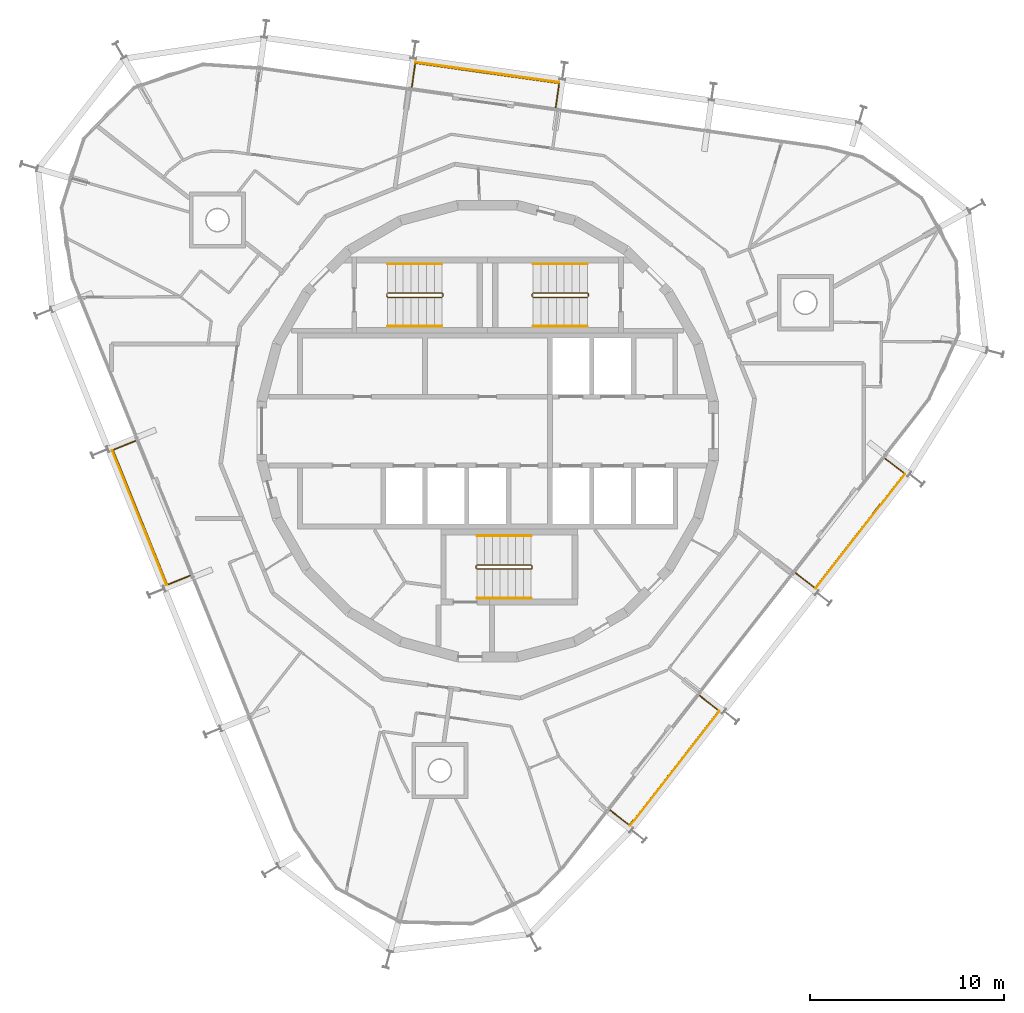
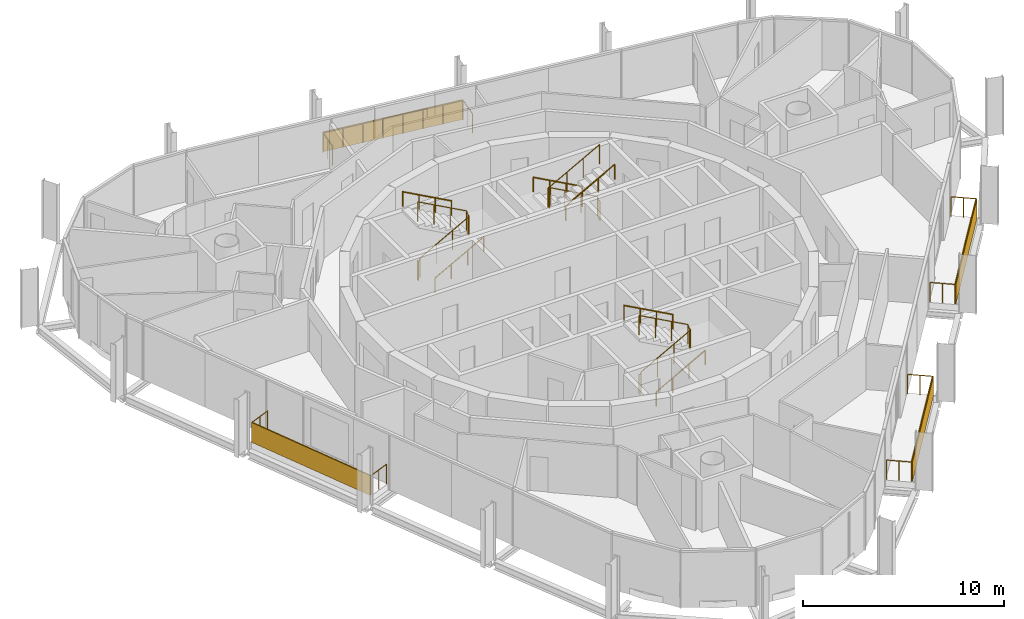
# One storey, part 15 of 15: 13 railings, 4 shading devices.
"""IFC4 building model written with IfcOpenShell, lengths in metres."""

import ifcopenshell
import ifcopenshell.guid

model = None  # the IFC model being written
_history = None  # IfcOwnerHistory: only IFC2X3 demands one
_inside = {}  # id of a spatial element -> (the spatial element, [elements in it])
_under = {}  # id of a project, library or spatial element -> (it, [spatial elements below it])
_declared = {}  # id of a project -> (the project, [libraries it declares])
_typed = {}  # id of a type object -> (the type object, [elements of that type])
_made_of = {}  # id of a material, layer set ... -> (it, [elements and type objects made of it])


def new_model(schema):
    """Start an empty IFC model of exactly this schema.

    Asked for "IFC4X3", IfcOpenShell would pick the latest addendum, in which some entities
    have other attributes; the version numbers below select the first issue.
    IFC2X3 requires an IfcOwnerHistory on every rooted entity: one is made here for all.
    """
    global model, _history
    if schema == "IFC4X3":
        model = ifcopenshell.file(schema_version=(4, 3, 0, 0))
    else:
        model = ifcopenshell.file(schema=schema)
    _inside.clear()
    _under.clear()
    _declared.clear()
    _typed.clear()
    _made_of.clear()
    _history = None
    if model.schema == "IFC2X3":
        org = make("IfcOrganization", Name="unknown")
        user = make(
            "IfcPersonAndOrganization",
            ThePerson=make("IfcPerson", FamilyName="unknown"),
            TheOrganization=org,
        )
        app = make(
            "IfcApplication",
            ApplicationDeveloper=org,
            Version="unknown",
            ApplicationFullName="unknown",
            ApplicationIdentifier="unknown",
        )
        _history = make(
            "IfcOwnerHistory",
            OwningUser=user,
            OwningApplication=app,
            ChangeAction="ADDED",
            CreationDate=0,
        )
    return model


def make(cls, **values):
    """One entity of the class cls with the attributes given. An attribute that is None is left unset."""
    return model.create_entity(
        cls, **{name: value for name, value in values.items() if value is not None}
    )


def rooted(cls, **values):
    """An entity with a GlobalId (a new one), such as an element, a storey or a relation."""
    return make(cls, GlobalId=ifcopenshell.guid.new(), OwnerHistory=_history, **values)


def si_unit(unit_type, name, prefix=None):
    """IfcSIUnit, for example si_unit("LENGTHUNIT", "METRE", prefix="MILLI")."""
    return make("IfcSIUnit", UnitType=unit_type, Prefix=prefix, Name=name)


def assignment(units):
    """IfcUnitAssignment: the units of a project."""
    return None if units is None else make("IfcUnitAssignment", Units=units)


def point(xyz):
    """IfcCartesianPoint."""
    return None if xyz is None else make("IfcCartesianPoint", Coordinates=xyz)


def direction(xyz):
    """IfcDirection."""
    return None if xyz is None else make("IfcDirection", DirectionRatios=xyz)


def frame(location, z_axis=None, x_axis=None):
    """IfcAxis2Placement3D, a coordinate frame: its origin and axes. An axis left out is left unset."""
    return make(
        "IfcAxis2Placement3D",
        Location=point(location),
        Axis=direction(z_axis),
        RefDirection=direction(x_axis),
    )


def frame_2d(location, x_axis=None):
    """IfcAxis2Placement2D, a coordinate frame in the plane: its origin and x axis."""
    return make(
        "IfcAxis2Placement2D", Location=point(location), RefDirection=direction(x_axis)
    )


def origin():
    """The frame at (0, 0, 0) with its axes left unset."""
    return frame((0.0, 0.0, 0.0))


def origin_2d():
    """The frame at (0, 0) in the plane with its x axis left unset."""
    return frame_2d((0.0, 0.0))


def place(relative_to, where):
    """IfcLocalPlacement: puts the frame where relative to a parent placement (None: the world)."""
    return make(
        "IfcLocalPlacement", PlacementRelTo=relative_to, RelativePlacement=where
    )


def context(
    kind, dimensions, precision=None, world=None, true_north=None, identifier=None
):
    """IfcGeometricRepresentationContext, for example the 3D "Model" context."""
    return make(
        "IfcGeometricRepresentationContext",
        ContextIdentifier=identifier,
        ContextType=kind,
        CoordinateSpaceDimension=dimensions,
        Precision=precision,
        WorldCoordinateSystem=world,
        TrueNorth=true_north,
    )


def subcontext(parent, identifier, kind, view, scale=None):
    """IfcGeometricRepresentationSubContext, for example "Body" below "Model"."""
    return make(
        "IfcGeometricRepresentationSubContext",
        ContextIdentifier=identifier,
        ContextType=kind,
        ParentContext=parent,
        TargetScale=scale,
        TargetView=view,
    )


def project(units=None, contexts=None):
    """IfcProject with its units and contexts."""
    return rooted(
        "IfcProject",
        Name="project",
        RepresentationContexts=contexts,
        UnitsInContext=assignment(units),
    )


def spatial(cls, under=None, at=None, **own):
    """A site, building, storey or space (cls), placed at a placement, below another one or the project."""
    s = rooted(cls, ObjectPlacement=at, **own)
    if under is not None:
        _under.setdefault(under.id(), (under, []))[1].append(s)
    return s


def profile(cls, at=None, kind="AREA", **sizes):
    """A parametric profile (cls). Its sizes go by their IFC names, for example OverallWidth=200.0."""
    return make(cls, ProfileType=kind, Position=at, **sizes)


def rectangle(**sizes):
    """IfcRectangleProfileDef."""
    return profile("IfcRectangleProfileDef", **sizes)


def circle(**sizes):
    """IfcCircleProfileDef."""
    return profile("IfcCircleProfileDef", **sizes)


def extrude(swept, where, along, depth):
    """IfcExtrudedAreaSolid: the profile swept, set in the frame where, extruded along a direction by depth."""
    return make(
        "IfcExtrudedAreaSolid",
        SweptArea=swept,
        Position=where,
        ExtrudedDirection=direction(along),
        Depth=depth,
    )


def shape(context_of_items, identifier, shape_type, items):
    """IfcShapeRepresentation: the items that make up one representation, for example the "Body"."""
    return make(
        "IfcShapeRepresentation",
        ContextOfItems=context_of_items,
        RepresentationIdentifier=identifier,
        RepresentationType=shape_type,
        Items=items,
    )


def material(Name=None, Category=None):
    """IfcMaterial."""
    return make("IfcMaterial", Name=Name, Category=Category)


def layer(
    of_material, thickness, ventilated=None, Name=None, Category=None, Priority=None
):
    """IfcMaterialLayer: one layer of a wall or slab, of a material (None: an air gap)."""
    return make(
        "IfcMaterialLayer",
        Material=of_material,
        LayerThickness=thickness,
        IsVentilated=ventilated,
        Name=Name,
        Category=Category,
        Priority=Priority,
    )


def layer_set(layers, Name=None):
    """IfcMaterialLayerSet."""
    return make("IfcMaterialLayerSet", MaterialLayers=layers, LayerSetName=Name)


def made_of(thing, what):
    """Note that an element or type object is made of a material, layer set ...; save() writes the relation."""
    if what is not None:
        _made_of.setdefault(what.id(), (what, []))[1].append(thing)
    return thing


def type_object(cls, material=None, **own):
    """A type object (cls), such as IfcWallType, which elements share."""
    return made_of(rooted(cls, **own), material)


def element(
    cls,
    number,
    at=None,
    inside=None,
    cuts=None,
    type_object=None,
    material=None,
    context=None,
    identifier="Body",
    shape_type=None,
    held_by="IfcProductDefinitionShape",
    body=None,
    shapes=None,
    **own,
):
    """One element of the class cls, such as IfcWall. Its Tag is "e" and its number.

    at: its placement. inside: the storey or other place that contains it. cuts: it is an
    opening in that element (IfcRelVoidsElement). A single representation is given by context,
    identifier, shape_type and body (its items); several are given by shapes. held_by: the class
    of the entity that holds the representations. save() writes the other relations.
    """
    e = rooted(cls, Tag="e%d" % number, ObjectPlacement=at, **own)
    if body is not None:
        shapes = [shape(context, identifier, shape_type, body)]
    if shapes is not None:
        e.Representation = make(held_by, Representations=shapes)
    if inside is not None:
        _inside.setdefault(inside.id(), (inside, []))[1].append(e)
    if cuts is not None:
        rooted(
            "IfcRelVoidsElement", RelatingBuildingElement=cuts, RelatedOpeningElement=e
        )
    if type_object is not None:
        _typed.setdefault(type_object.id(), (type_object, []))[1].append(e)
    return made_of(e, material)


def aggregate(whole, parts):
    """IfcRelAggregates: a whole, such as a stair, and the parts it consists of."""
    return rooted("IfcRelAggregates", RelatingObject=whole, RelatedObjects=parts)


def save(model, path):
    """Write the relations noted so far, then the file.

    IfcRelAggregates (storeys below a building ...), IfcRelContainedInSpatialStructure (elements
    in a storey), IfcRelDefinesByType, IfcRelAssociatesMaterial and IfcRelDeclares: one each for
    every whole, place, type object, material and project.
    """
    for whole, parts in _under.values():
        aggregate(whole, parts)
    for where, things in _inside.values():
        rooted(
            "IfcRelContainedInSpatialStructure",
            RelatedElements=things,
            RelatingStructure=where,
        )
    for kind, things in _typed.values():
        rooted("IfcRelDefinesByType", RelatedObjects=things, RelatingType=kind)
    for what, things in _made_of.values():
        rooted("IfcRelAssociatesMaterial", RelatedObjects=things, RelatingMaterial=what)
    for by, libraries in _declared.values():
        rooted("IfcRelDeclares", RelatingContext=by, RelatedDefinitions=libraries)
    model.write(path)


model = new_model("IFC4")

# Units and contexts
model_context = context("Model", 3, precision=1e-05, world=origin(), true_north=direction((0.0, 1.0)))
body_context = subcontext(model_context, "Body", "Model", "MODEL_VIEW")
ifc_project = project(units=[si_unit("LENGTHUNIT", "METRE"), si_unit("AREAUNIT", "SQUARE_METRE"), si_unit("VOLUMEUNIT", "CUBIC_METRE"), si_unit("PLANEANGLEUNIT", "RADIAN"), si_unit("MASSUNIT", "GRAM", prefix="KILO")], contexts=[model_context])

# Site, building, storey
site_placement = place(None, origin())
site = spatial("IfcSite", under=ifc_project, at=site_placement, CompositionType="ELEMENT")
building_placement = place(site_placement, origin())
building = spatial("IfcBuilding", under=site, at=building_placement, Name="Spindle Arch Residences", CompositionType="ELEMENT")
storey_placement = place(building_placement, frame((0.0, 0.0, 340.0)))
storey = spatial("IfcBuildingStorey", under=building, at=storey_placement, Name="L87", CompositionType="ELEMENT", Elevation=340.0)

# Railings
ifc_material_1 = material(Name="Bronze anodised aluminium guard with glass infill", Category="aluminium")
railing_type_1 = type_object("IfcRailingType", Name="Balcony guard 1200", PredefinedType="GUARDRAIL", material=ifc_material_1)
railing_1_placement = place(storey_placement, frame((15.89208984375, -7.317626953125, 0.0)))
element("IfcRailing", 1, at=railing_1_placement, inside=storey, type_object=railing_type_1, Name="Guard L87 bay 1", PredefinedType="GUARDRAIL", context=body_context, shape_type="SweptSolid", body=[
    extrude(circle(Radius=0.02392578125, at=origin_2d()), frame((0.0, 0.0, 1.17578125), z_axis=(0.788056943247, -0.61560235071, 0.0), x_axis=(0.61560235071, 0.788056943247, 0.0)), (0.0, 0.0, 1.0), 1.25),
    extrude(circle(Radius=0.02392578125, at=origin_2d()), frame((0.985107421875, -0.76953125, 1.17578125), z_axis=(0.615668692597, 0.788005114803, 0.0), x_axis=(-0.788005114803, 0.615668692597, 0.0)), (0.0, 0.0, 1.0), 7.49560546875),
    extrude(circle(Radius=0.02392578125, at=origin_2d()), frame((5.599853515625, 5.136962890625, 1.17578125), z_axis=(-0.788056943247, 0.61560235071, 0.0), x_axis=(-0.61560235071, -0.788056943247, 0.0)), (0.0, 0.0, 1.0), 1.25),
    extrude(circle(Radius=0.02099609375, at=origin_2d()), origin(), (0.0, 0.0, 1.0), 1.15185546875),
    extrude(circle(Radius=0.02099609375, at=origin_2d()), frame((0.49267578125, -0.384765625, 0.0)), (0.0, 0.0, 1.0), 1.15185546875),
    extrude(circle(Radius=0.02099609375, at=origin_2d()), frame((0.985107421875, -0.76953125, 0.0)), (0.0, 0.0, 1.0), 1.15185546875),
    extrude(circle(Radius=0.02099609375, at=origin_2d()), frame((1.644287109375, 0.07421875, 0.0)), (0.0, 0.0, 1.0), 1.15185546875),
    extrude(circle(Radius=0.02099609375, at=origin_2d()), frame((2.3037109375, 0.91796875, 0.0)), (0.0, 0.0, 1.0), 1.15185546875),
    extrude(circle(Radius=0.02099609375, at=origin_2d()), frame((2.962890625, 1.76171875, 0.0)), (0.0, 0.0, 1.0), 1.15185546875),
    extrude(circle(Radius=0.02099609375, at=origin_2d()), frame((3.6220703125, 2.605712890625, 0.0)), (0.0, 0.0, 1.0), 1.15185546875),
    extrude(circle(Radius=0.02099609375, at=origin_2d()), frame((4.28125, 3.449462890625, 0.0)), (0.0, 0.0, 1.0), 1.15185546875),
    extrude(circle(Radius=0.02099609375, at=origin_2d()), frame((4.940673828125, 4.293212890625, 0.0)), (0.0, 0.0, 1.0), 1.15185546875),
    extrude(circle(Radius=0.02099609375, at=origin_2d()), frame((5.599853515625, 5.136962890625, 0.0)), (0.0, 0.0, 1.0), 1.15185546875),
    extrude(circle(Radius=0.02099609375, at=origin_2d()), frame((5.107421875, 5.521728515625, 0.0)), (0.0, 0.0, 1.0), 1.15185546875),
    extrude(circle(Radius=0.02099609375, at=origin_2d()), frame((4.61474609375, 5.906494140625, 0.0)), (0.0, 0.0, 1.0), 1.15185546875),
])
railing_2_placement = place(storey_placement, frame((3.517822265625, 16.701416015625, 0.0)))
element("IfcRailing", 2, at=railing_2_placement, inside=storey, type_object=railing_type_1, Name="Guard L87 bay 7", PredefinedType="GUARDRAIL", context=body_context, shape_type="SweptSolid", body=[
    extrude(circle(Radius=0.02392578125, at=origin_2d()), frame((0.0, 0.0, 1.17578125), z_axis=(0.139260816682, 0.990255737139, 0.0), x_axis=(-0.990255737139, 0.139260816682, 0.0)), (0.0, 0.0, 1.0), 1.25),
    extrude(circle(Radius=0.02392578125, at=origin_2d()), frame((0.174072265625, 1.23779296875, 1.17578125), z_axis=(-0.990267453735, 0.139177476887, 0.0), x_axis=(-0.139177476887, -0.990267453735, 0.0)), (0.0, 0.0, 1.0), 7.49560546875),
    extrude(circle(Radius=0.02392578125, at=origin_2d()), frame((-7.24853515625, 2.281005859375, 1.17578125), z_axis=(-0.139260816682, -0.990255737139, 0.0), x_axis=(0.990255737139, -0.139260816682, 0.0)), (0.0, 0.0, 1.0), 1.25),
    extrude(circle(Radius=0.02099609375, at=origin_2d()), origin(), (0.0, 0.0, 1.0), 1.15185546875),
    extrude(circle(Radius=0.02099609375, at=origin_2d()), frame((0.0869140625, 0.618896484375, 0.0)), (0.0, 0.0, 1.0), 1.15185546875),
    extrude(circle(Radius=0.02099609375, at=origin_2d()), frame((0.174072265625, 1.23779296875, 0.0)), (0.0, 0.0, 1.0), 1.15185546875),
    extrude(circle(Radius=0.02099609375, at=origin_2d()), frame((-0.88623046875, 1.38671875, 0.0)), (0.0, 0.0, 1.0), 1.15185546875),
    extrude(circle(Radius=0.02099609375, at=origin_2d()), frame((-1.94677734375, 1.535888671875, 0.0)), (0.0, 0.0, 1.0), 1.15185546875),
    extrude(circle(Radius=0.02099609375, at=origin_2d()), frame((-3.007080078125, 1.684814453125, 0.0)), (0.0, 0.0, 1.0), 1.15185546875),
    extrude(circle(Radius=0.02099609375, at=origin_2d()), frame((-4.0673828125, 1.833984375, 0.0)), (0.0, 0.0, 1.0), 1.15185546875),
    extrude(circle(Radius=0.02099609375, at=origin_2d()), frame((-5.127685546875, 1.98291015625, 0.0)), (0.0, 0.0, 1.0), 1.15185546875),
    extrude(circle(Radius=0.02099609375, at=origin_2d()), frame((-6.188232421875, 2.132080078125, 0.0)), (0.0, 0.0, 1.0), 1.15185546875),
    extrude(circle(Radius=0.02099609375, at=origin_2d()), frame((-7.24853515625, 2.281005859375, 0.0)), (0.0, 0.0, 1.0), 1.15185546875),
    extrude(circle(Radius=0.02099609375, at=origin_2d()), frame((-7.33544921875, 1.662109375, 0.0)), (0.0, 0.0, 1.0), 1.15185546875),
    extrude(circle(Radius=0.02099609375, at=origin_2d()), frame((-7.422607421875, 1.043212890625, 0.0)), (0.0, 0.0, 1.0), 1.15185546875),
])
railing_3_placement = place(storey_placement, frame((-18.162109375, -0.50390625, 0.0)))
element("IfcRailing", 3, at=railing_3_placement, inside=storey, type_object=railing_type_1, Name="Guard L87 bay 13", PredefinedType="GUARDRAIL", context=body_context, shape_type="SweptSolid", body=[
    extrude(circle(Radius=0.02392578125, at=origin_2d()), frame((0.0, 0.0, 1.17578125), z_axis=(-0.927177918056, -0.374621286461, 0.0), x_axis=(0.374621286461, -0.927177918056, 0.0)), (0.0, 0.0, 1.0), 1.25),
    extrude(circle(Radius=0.02392578125, at=origin_2d()), frame((-1.158935546875, -0.46826171875, 1.17578125), z_axis=(0.374594985402, -0.927188544424, 0.0), x_axis=(0.927188544424, 0.374594985402, 0.0)), (0.0, 0.0, 1.0), 7.49560546875),
    extrude(circle(Radius=0.02392578125, at=origin_2d()), frame((1.64892578125, -7.418212890625, 1.17578125), z_axis=(0.927177918056, 0.374621286461, 0.0), x_axis=(-0.374621286461, 0.927177918056, 0.0)), (0.0, 0.0, 1.0), 1.25),
    extrude(circle(Radius=0.02099609375, at=origin_2d()), origin(), (0.0, 0.0, 1.0), 1.15185546875),
    extrude(circle(Radius=0.02099609375, at=origin_2d()), frame((-0.57958984375, -0.234130859375, 0.0)), (0.0, 0.0, 1.0), 1.15185546875),
    extrude(circle(Radius=0.02099609375, at=origin_2d()), frame((-1.158935546875, -0.46826171875, 0.0)), (0.0, 0.0, 1.0), 1.15185546875),
    extrude(circle(Radius=0.02099609375, at=origin_2d()), frame((-0.7578125, -1.461181640625, 0.0)), (0.0, 0.0, 1.0), 1.15185546875),
    extrude(circle(Radius=0.02099609375, at=origin_2d()), frame((-0.356689453125, -2.453857421875, 0.0)), (0.0, 0.0, 1.0), 1.15185546875),
    extrude(circle(Radius=0.02099609375, at=origin_2d()), frame((0.04443359375, -3.44677734375, 0.0)), (0.0, 0.0, 1.0), 1.15185546875),
    extrude(circle(Radius=0.02099609375, at=origin_2d()), frame((0.445556640625, -4.439697265625, 0.0)), (0.0, 0.0, 1.0), 1.15185546875),
    extrude(circle(Radius=0.02099609375, at=origin_2d()), frame((0.8466796875, -5.4326171875, 0.0)), (0.0, 0.0, 1.0), 1.15185546875),
    extrude(circle(Radius=0.02099609375, at=origin_2d()), frame((1.247802734375, -6.42529296875, 0.0)), (0.0, 0.0, 1.0), 1.15185546875),
    extrude(circle(Radius=0.02099609375, at=origin_2d()), frame((1.64892578125, -7.418212890625, 0.0)), (0.0, 0.0, 1.0), 1.15185546875),
    extrude(circle(Radius=0.02099609375, at=origin_2d()), frame((2.228515625, -7.18408203125, 0.0)), (0.0, 0.0, 1.0), 1.15185546875),
    extrude(circle(Radius=0.02099609375, at=origin_2d()), frame((2.807861328125, -6.949951171875, 0.0)), (0.0, 0.0, 1.0), 1.15185546875),
])
railing_4_placement = place(storey_placement, frame((6.330322265625, -19.556396484375, 0.0)))
element("IfcRailing", 4, at=railing_4_placement, inside=storey, type_object=railing_type_1, Name="Guard L87 bay 19", PredefinedType="GUARDRAIL", context=body_context, shape_type="SweptSolid", body=[
    extrude(circle(Radius=0.02392578125, at=origin_2d()), frame((0.0, 0.0, 1.17578125), z_axis=(0.787982912033, -0.615697109254, 0.0), x_axis=(0.615697109254, 0.787982912033, 0.0)), (0.0, 0.0, 1.0), 1.249755859375),
    extrude(circle(Radius=0.02392578125, at=origin_2d()), frame((0.98486328125, -0.76953125, 1.17578125), z_axis=(0.615668692597, 0.788005114803, 0.0), x_axis=(-0.788005114803, 0.615668692597, 0.0)), (0.0, 0.0, 1.0), 7.49560546875),
    extrude(circle(Radius=0.02392578125, at=origin_2d()), frame((5.599609375, 5.136962890625, 1.17578125), z_axis=(-0.787982912033, 0.615697109254, 0.0), x_axis=(-0.615697109254, -0.787982912033, 0.0)), (0.0, 0.0, 1.0), 1.249755859375),
    extrude(circle(Radius=0.02099609375, at=origin_2d()), origin(), (0.0, 0.0, 1.0), 1.15185546875),
    extrude(circle(Radius=0.02099609375, at=origin_2d()), frame((0.492431640625, -0.384765625, 0.0)), (0.0, 0.0, 1.0), 1.15185546875),
    extrude(circle(Radius=0.02099609375, at=origin_2d()), frame((0.98486328125, -0.76953125, 0.0)), (0.0, 0.0, 1.0), 1.15185546875),
    extrude(circle(Radius=0.02099609375, at=origin_2d()), frame((1.64404296875, 0.07421875, 0.0)), (0.0, 0.0, 1.0), 1.15185546875),
    extrude(circle(Radius=0.02099609375, at=origin_2d()), frame((2.303466796875, 0.91796875, 0.0)), (0.0, 0.0, 1.0), 1.15185546875),
    extrude(circle(Radius=0.02099609375, at=origin_2d()), frame((2.962646484375, 1.76171875, 0.0)), (0.0, 0.0, 1.0), 1.15185546875),
    extrude(circle(Radius=0.02099609375, at=origin_2d()), frame((3.621826171875, 2.605712890625, 0.0)), (0.0, 0.0, 1.0), 1.15185546875),
    extrude(circle(Radius=0.02099609375, at=origin_2d()), frame((4.281005859375, 3.449462890625, 0.0)), (0.0, 0.0, 1.0), 1.15185546875),
    extrude(circle(Radius=0.02099609375, at=origin_2d()), frame((4.9404296875, 4.293212890625, 0.0)), (0.0, 0.0, 1.0), 1.15185546875),
    extrude(circle(Radius=0.02099609375, at=origin_2d()), frame((5.599609375, 5.136962890625, 0.0)), (0.0, 0.0, 1.0), 1.15185546875),
    extrude(circle(Radius=0.02099609375, at=origin_2d()), frame((5.107177734375, 5.521728515625, 0.0)), (0.0, 0.0, 1.0), 1.15185546875),
    extrude(circle(Radius=0.02099609375, at=origin_2d()), frame((4.61474609375, 5.906494140625, 0.0)), (0.0, 0.0, 1.0), 1.15185546875),
])

# Shading devices
ifc_material_2 = material(Name="Bronze perforated cobogo screen")
ifc_layer = layer(ifc_material_2, 0.0390625)
ifc_layer_set = layer_set([ifc_layer], Name="Cobogo screen 1200")
shading_device_type = type_object("IfcShadingDeviceType", Name="Cobogo screen 1200", PredefinedType="USERDEFINED", material=ifc_layer_set)
for number, where, z_axis, x_axis, name in (
    (5, (19.216552734375, -5.158935546875, 0.0), (0.0, 0.0, 1.0), (0.615661475326, 0.788010753607, 0.0), "Cobogo screen L87 bay 1"),
    (6, (-0.013916015625, 18.5009765625, 0.0), (0.0, 0.0, 1.0), (-0.990268068742, 0.13917310096, 0.0), "Cobogo screen L87 bay 7"),
    (7, (-17.95458984375, -4.46240234375, 0.0), (0.0, 0.0, 1.0), (0.374606593416, -0.927183854567, 0.0), "Cobogo screen L87 bay 13"),
    (8, (9.654541015625, -17.397705078125, 0.0), (0.0, 0.0, 1.0), (0.615661475326, 0.788010753607, 0.0), "Cobogo screen L87 bay 19"),
):
    element("IfcShadingDevice", number, at=place(storey_placement, frame(where, z_axis=z_axis, x_axis=x_axis)), inside=storey, type_object=shading_device_type, Name=name, ObjectType="SCREEN", PredefinedType="USERDEFINED", context=body_context, shape_type="SweptSolid", body=[
        extrude(rectangle(XDim=7.49560546875, YDim=0.0390625, at=origin_2d()), origin(), (0.0, 0.0, 1.0), 1.199951171875),
    ])

# Railings
ifc_material_3 = material(Name="Steel, painted", Category="steel")
railing_type_2 = type_object("IfcRailingType", Name="Stair guard 1100", PredefinedType="GUARDRAIL", material=ifc_material_3)
railing_5_placement = place(storey_placement, frame((5.14990234375, 6.89990234375, 3.5)))
element("IfcRailing", 9, at=railing_5_placement, inside=storey, type_object=railing_type_2, Name="L87 ST1 stair guard 1", PredefinedType="GUARDRAIL", context=body_context, shape_type="SweptSolid", body=[
    extrude(circle(Radius=0.02392578125, at=origin_2d()), frame((0.0, 0.0, 1.17578125), z_axis=(-0.877357048833, 0.0, -0.479838106931), x_axis=(0.0, -1.0, 0.0)), (0.0, 0.0, 1.0), 3.191162109375),
    extrude(circle(Radius=0.02392578125, at=origin_2d()), frame((-2.7998046875, 0.0, -0.35546875), z_axis=(-0.217683172539, 0.217683172539, -0.951434744366), x_axis=(-0.707106781187, -0.707106781187, 0.0)), (0.0, 0.0, 1.0), 0.22998046875),
    extrude(circle(Radius=0.02392578125, at=origin_2d()), frame((-2.849853515625, 0.050048828125, -0.57421875), z_axis=(0.0, 1.0, 0.0), x_axis=(-1.0, 0.0, 0.0)), (0.0, 0.0, 1.0), 0.1201171875),
    extrude(circle(Radius=0.02392578125, at=origin_2d()), frame((-2.849853515625, 0.170166015625, -0.57421875), z_axis=(0.707106781187, 0.707106781187, 0.0), x_axis=(-0.707106781187, 0.707106781187, 0.0)), (0.0, 0.0, 1.0), 0.07080078125),
    extrude(circle(Radius=0.02392578125, at=origin_2d()), frame((-2.7998046875, 0.22021484375, -0.57421875), z_axis=(0.877357048833, 0.0, -0.479838106931), x_axis=(0.0, 1.0, 0.0)), (0.0, 0.0, 1.0), 3.191162109375),
    extrude(circle(Radius=0.02392578125, at=origin_2d()), frame((0.0, 0.22021484375, -2.10546875), z_axis=(0.217683172539, -0.217683172539, -0.951434744366), x_axis=(0.707106781187, 0.707106781187, 0.0)), (0.0, 0.0, 1.0), 0.22998046875),
    extrude(circle(Radius=0.02392578125, at=origin_2d()), frame((0.050048828125, 0.170166015625, -2.32421875), z_axis=(0.0, -1.0, 0.0), x_axis=(1.0, 0.0, 0.0)), (0.0, 0.0, 1.0), 0.1201171875),
    extrude(circle(Radius=0.02099609375, at=origin_2d()), origin(), (0.0, 0.0, 1.0), 1.15185546875),
    extrude(circle(Radius=0.02099609375, at=origin_2d()), frame((-0.933349609375, 0.0, -0.510498046875)), (0.0, 0.0, 1.0), 1.15185546875),
    extrude(circle(Radius=0.02099609375, at=origin_2d()), frame((-1.866455078125, 0.0, -1.020751953125)), (0.0, 0.0, 1.0), 1.15185546875),
    extrude(circle(Radius=0.02099609375, at=origin_2d()), frame((-2.7998046875, 0.0, -1.53125)), (0.0, 0.0, 1.0), 1.15185546875),
    extrude(circle(Radius=0.02099609375, at=origin_2d()), frame((-2.849853515625, 0.050048828125, -1.75)), (0.0, 0.0, 1.0), 1.15185546875),
    extrude(circle(Radius=0.02099609375, at=origin_2d()), frame((-2.849853515625, 0.170166015625, -1.75)), (0.0, 0.0, 1.0), 1.15185546875),
    extrude(circle(Radius=0.02099609375, at=origin_2d()), frame((-2.7998046875, 0.22021484375, -1.75)), (0.0, 0.0, 1.0), 1.15185546875),
    extrude(circle(Radius=0.02099609375, at=origin_2d()), frame((-1.866455078125, 0.22021484375, -2.260498046875)), (0.0, 0.0, 1.0), 1.15185546875),
    extrude(circle(Radius=0.02099609375, at=origin_2d()), frame((-0.933349609375, 0.22021484375, -2.770751953125)), (0.0, 0.0, 1.0), 1.15185546875),
    extrude(circle(Radius=0.02099609375, at=origin_2d()), frame((0.0, 0.22021484375, -3.28125)), (0.0, 0.0, 1.0), 1.15185546875),
    extrude(circle(Radius=0.02099609375, at=origin_2d()), frame((0.050048828125, 0.170166015625, -3.5)), (0.0, 0.0, 1.0), 1.15185546875),
    extrude(circle(Radius=0.02099609375, at=origin_2d()), frame((0.050048828125, 0.050048828125, -3.5)), (0.0, 0.0, 1.0), 1.15185546875),
])
railing_6_placement = place(storey_placement, frame((-5.14990234375, 7.1201171875, 3.5)))
element("IfcRailing", 10, at=railing_6_placement, inside=storey, type_object=railing_type_2, Name="L87 ST2 stair guard 1", PredefinedType="GUARDRAIL", context=body_context, shape_type="SweptSolid", body=[
    extrude(circle(Radius=0.02392578125, at=origin_2d()), frame((0.0, 0.0, 1.17578125), z_axis=(0.877357048833, 0.0, -0.479838106931), x_axis=(0.0, 1.0, 0.0)), (0.0, 0.0, 1.0), 3.191162109375),
    extrude(circle(Radius=0.02392578125, at=origin_2d()), frame((2.7998046875, 0.0, -0.35546875), z_axis=(0.217683172539, -0.217683172539, -0.951434744366), x_axis=(0.707106781187, 0.707106781187, 0.0)), (0.0, 0.0, 1.0), 0.22998046875),
    extrude(circle(Radius=0.02392578125, at=origin_2d()), frame((2.849853515625, -0.050048828125, -0.57421875), z_axis=(0.0, -1.0, 0.0), x_axis=(1.0, 0.0, 0.0)), (0.0, 0.0, 1.0), 0.1201171875),
    extrude(circle(Radius=0.02392578125, at=origin_2d()), frame((2.849853515625, -0.170166015625, -0.57421875), z_axis=(-0.707106781187, -0.707106781187, 0.0), x_axis=(0.707106781187, -0.707106781187, 0.0)), (0.0, 0.0, 1.0), 0.07080078125),
    extrude(circle(Radius=0.02392578125, at=origin_2d()), frame((2.7998046875, -0.22021484375, -0.57421875), z_axis=(-0.877357048833, 0.0, -0.479838106931), x_axis=(0.0, -1.0, 0.0)), (0.0, 0.0, 1.0), 3.191162109375),
    extrude(circle(Radius=0.02392578125, at=origin_2d()), frame((0.0, -0.22021484375, -2.10546875), z_axis=(-0.217683172539, 0.217683172539, -0.951434744366), x_axis=(-0.707106781187, -0.707106781187, 0.0)), (0.0, 0.0, 1.0), 0.22998046875),
    extrude(circle(Radius=0.02392578125, at=origin_2d()), frame((-0.050048828125, -0.170166015625, -2.32421875), z_axis=(0.0, 1.0, 0.0), x_axis=(-1.0, 0.0, 0.0)), (0.0, 0.0, 1.0), 0.1201171875),
    extrude(circle(Radius=0.02099609375, at=origin_2d()), origin(), (0.0, 0.0, 1.0), 1.15185546875),
    extrude(circle(Radius=0.02099609375, at=origin_2d()), frame((0.933349609375, 0.0, -0.510498046875)), (0.0, 0.0, 1.0), 1.15185546875),
    extrude(circle(Radius=0.02099609375, at=origin_2d()), frame((1.866455078125, 0.0, -1.020751953125)), (0.0, 0.0, 1.0), 1.15185546875),
    extrude(circle(Radius=0.02099609375, at=origin_2d()), frame((2.7998046875, 0.0, -1.53125)), (0.0, 0.0, 1.0), 1.15185546875),
    extrude(circle(Radius=0.02099609375, at=origin_2d()), frame((2.849853515625, -0.050048828125, -1.75)), (0.0, 0.0, 1.0), 1.15185546875),
    extrude(circle(Radius=0.02099609375, at=origin_2d()), frame((2.849853515625, -0.170166015625, -1.75)), (0.0, 0.0, 1.0), 1.15185546875),
    extrude(circle(Radius=0.02099609375, at=origin_2d()), frame((2.7998046875, -0.22021484375, -1.75)), (0.0, 0.0, 1.0), 1.15185546875),
    extrude(circle(Radius=0.02099609375, at=origin_2d()), frame((1.866455078125, -0.22021484375, -2.260498046875)), (0.0, 0.0, 1.0), 1.15185546875),
    extrude(circle(Radius=0.02099609375, at=origin_2d()), frame((0.933349609375, -0.22021484375, -2.770751953125)), (0.0, 0.0, 1.0), 1.15185546875),
    extrude(circle(Radius=0.02099609375, at=origin_2d()), frame((0.0, -0.22021484375, -3.28125)), (0.0, 0.0, 1.0), 1.15185546875),
    extrude(circle(Radius=0.02099609375, at=origin_2d()), frame((-0.050048828125, -0.170166015625, -3.5)), (0.0, 0.0, 1.0), 1.15185546875),
    extrude(circle(Radius=0.02099609375, at=origin_2d()), frame((-0.050048828125, -0.050048828125, -3.5)), (0.0, 0.0, 1.0), 1.15185546875),
])
railing_7_placement = place(storey_placement, frame((-0.550048828125, -6.89990234375, 3.5)))
element("IfcRailing", 11, at=railing_7_placement, inside=storey, type_object=railing_type_2, Name="L87 ST3 stair guard 1", PredefinedType="GUARDRAIL", context=body_context, shape_type="SweptSolid", body=[
    extrude(circle(Radius=0.02392578125, at=origin_2d()), frame((0.0, 0.0, 1.17578125), z_axis=(0.877374661878, 0.0, -0.479805901063), x_axis=(0.0, 1.0, 0.0)), (0.0, 0.0, 1.0), 3.19140625),
    extrude(circle(Radius=0.02392578125, at=origin_2d()), frame((2.800048828125, 0.0, -0.35546875), z_axis=(0.217683172539, -0.217683172539, -0.951434744366), x_axis=(0.707106781187, 0.707106781187, 0.0)), (0.0, 0.0, 1.0), 0.22998046875),
    extrude(circle(Radius=0.02392578125, at=origin_2d()), frame((2.85009765625, -0.050048828125, -0.57421875), z_axis=(0.0, -1.0, 0.0), x_axis=(1.0, 0.0, 0.0)), (0.0, 0.0, 1.0), 0.1201171875),
    extrude(circle(Radius=0.02392578125, at=origin_2d()), frame((2.85009765625, -0.170166015625, -0.57421875), z_axis=(-0.707106781187, -0.707106781187, 0.0), x_axis=(0.707106781187, -0.707106781187, 0.0)), (0.0, 0.0, 1.0), 0.07080078125),
    extrude(circle(Radius=0.02392578125, at=origin_2d()), frame((2.800048828125, -0.22021484375, -0.57421875), z_axis=(-0.877374661878, 0.0, -0.479805901063), x_axis=(0.0, -1.0, 0.0)), (0.0, 0.0, 1.0), 3.19140625),
    extrude(circle(Radius=0.02392578125, at=origin_2d()), frame((0.0, -0.22021484375, -2.10546875), z_axis=(-0.217683172539, 0.217683172539, -0.951434744366), x_axis=(-0.707106781187, -0.707106781187, 0.0)), (0.0, 0.0, 1.0), 0.22998046875),
    extrude(circle(Radius=0.02392578125, at=origin_2d()), frame((-0.050048828125, -0.170166015625, -2.32421875), z_axis=(0.0, 1.0, 0.0), x_axis=(-1.0, 0.0, 0.0)), (0.0, 0.0, 1.0), 0.1201171875),
    extrude(circle(Radius=0.02099609375, at=origin_2d()), origin(), (0.0, 0.0, 1.0), 1.15185546875),
    extrude(circle(Radius=0.02099609375, at=origin_2d()), frame((0.933349609375, 0.0, -0.510498046875)), (0.0, 0.0, 1.0), 1.15185546875),
    extrude(circle(Radius=0.02099609375, at=origin_2d()), frame((1.86669921875, 0.0, -1.020751953125)), (0.0, 0.0, 1.0), 1.15185546875),
    extrude(circle(Radius=0.02099609375, at=origin_2d()), frame((2.800048828125, 0.0, -1.53125)), (0.0, 0.0, 1.0), 1.15185546875),
    extrude(circle(Radius=0.02099609375, at=origin_2d()), frame((2.85009765625, -0.050048828125, -1.75)), (0.0, 0.0, 1.0), 1.15185546875),
    extrude(circle(Radius=0.02099609375, at=origin_2d()), frame((2.85009765625, -0.170166015625, -1.75)), (0.0, 0.0, 1.0), 1.15185546875),
    extrude(circle(Radius=0.02099609375, at=origin_2d()), frame((2.800048828125, -0.22021484375, -1.75)), (0.0, 0.0, 1.0), 1.15185546875),
    extrude(circle(Radius=0.02099609375, at=origin_2d()), frame((1.86669921875, -0.22021484375, -2.260498046875)), (0.0, 0.0, 1.0), 1.15185546875),
    extrude(circle(Radius=0.02099609375, at=origin_2d()), frame((0.933349609375, -0.22021484375, -2.770751953125)), (0.0, 0.0, 1.0), 1.15185546875),
    extrude(circle(Radius=0.02099609375, at=origin_2d()), frame((0.0, -0.22021484375, -3.28125)), (0.0, 0.0, 1.0), 1.15185546875),
    extrude(circle(Radius=0.02099609375, at=origin_2d()), frame((-0.050048828125, -0.170166015625, -3.5)), (0.0, 0.0, 1.0), 1.15185546875),
    extrude(circle(Radius=0.02099609375, at=origin_2d()), frame((-0.050048828125, -0.050048828125, -3.5)), (0.0, 0.0, 1.0), 1.15185546875),
])
ifc_material_4 = material(Name="Steel, painted", Category="steel")
railing_type_3 = type_object("IfcRailingType", Name="Stair handrail 900", PredefinedType="HANDRAIL", material=ifc_material_4)
railing_8_placement = place(storey_placement, frame((5.14990234375, 8.6201171875, 0.21875)))
element("IfcRailing", 12, at=railing_8_placement, inside=storey, type_object=railing_type_3, Name="L87 ST1 stair handrail 1", PredefinedType="HANDRAIL", context=body_context, shape_type="SweptSolid", body=[
    extrude(circle(Radius=0.02392578125, at=origin_2d()), frame((0.0, 0.0, 0.8759765625), z_axis=(-0.877357048833, 0.0, 0.479838106931), x_axis=(0.0, -1.0, 0.0)), (0.0, 0.0, 1.0), 3.191162109375),
    extrude(circle(Radius=0.02099609375, at=origin_2d()), origin(), (0.0, 0.0, 1.0), 0.851806640625),
    extrude(circle(Radius=0.02099609375, at=origin_2d()), frame((-0.933349609375, 0.0, 0.510498046875)), (0.0, 0.0, 1.0), 0.851806640625),
    extrude(circle(Radius=0.02099609375, at=origin_2d()), frame((-1.866455078125, 0.0, 1.020751953125)), (0.0, 0.0, 1.0), 0.851806640625),
    extrude(circle(Radius=0.02099609375, at=origin_2d()), frame((-2.7998046875, 0.0, 1.53125)), (0.0, 0.0, 1.0), 0.851806640625),
])
for number, where, name in (
    (13, (2.35009765625, 5.39990234375, 1.96875), "L87 ST1 stair handrail 2"),
    (14, (-5.14990234375, 5.39990234375, 0.21875), "L87 ST2 stair handrail 1"),
):
    element("IfcRailing", number, at=place(storey_placement, frame(where)), inside=storey, type_object=railing_type_3, Name=name, PredefinedType="HANDRAIL", context=body_context, shape_type="SweptSolid", body=[
        extrude(circle(Radius=0.02392578125, at=origin_2d()), frame((0.0, 0.0, 0.8759765625), z_axis=(0.877357048833, 0.0, 0.479838106931), x_axis=(0.0, 1.0, 0.0)), (0.0, 0.0, 1.0), 3.191162109375),
        extrude(circle(Radius=0.02099609375, at=origin_2d()), origin(), (0.0, 0.0, 1.0), 0.851806640625),
        extrude(circle(Radius=0.02099609375, at=origin_2d()), frame((0.933349609375, 0.0, 0.510498046875)), (0.0, 0.0, 1.0), 0.851806640625),
        extrude(circle(Radius=0.02099609375, at=origin_2d()), frame((1.866455078125, 0.0, 1.020751953125)), (0.0, 0.0, 1.0), 0.851806640625),
        extrude(circle(Radius=0.02099609375, at=origin_2d()), frame((2.7998046875, 0.0, 1.53125)), (0.0, 0.0, 1.0), 0.851806640625),
    ])
railing_9_placement = place(storey_placement, frame((-2.35009765625, 8.6201171875, 1.96875)))
element("IfcRailing", 15, at=railing_9_placement, inside=storey, type_object=railing_type_3, Name="L87 ST2 stair handrail 2", PredefinedType="HANDRAIL", context=body_context, shape_type="SweptSolid", body=[
    extrude(circle(Radius=0.02392578125, at=origin_2d()), frame((0.0, 0.0, 0.8759765625), z_axis=(-0.877357048833, 0.0, 0.479838106931), x_axis=(0.0, -1.0, 0.0)), (0.0, 0.0, 1.0), 3.191162109375),
    extrude(circle(Radius=0.02099609375, at=origin_2d()), origin(), (0.0, 0.0, 1.0), 0.851806640625),
    extrude(circle(Radius=0.02099609375, at=origin_2d()), frame((-0.933349609375, 0.0, 0.510498046875)), (0.0, 0.0, 1.0), 0.851806640625),
    extrude(circle(Radius=0.02099609375, at=origin_2d()), frame((-1.866455078125, 0.0, 1.020751953125)), (0.0, 0.0, 1.0), 0.851806640625),
    extrude(circle(Radius=0.02099609375, at=origin_2d()), frame((-2.7998046875, 0.0, 1.53125)), (0.0, 0.0, 1.0), 0.851806640625),
])
railing_10_placement = place(storey_placement, frame((-0.550048828125, -8.6201171875, 0.21875)))
element("IfcRailing", 16, at=railing_10_placement, inside=storey, type_object=railing_type_3, Name="L87 ST3 stair handrail 1", PredefinedType="HANDRAIL", context=body_context, shape_type="SweptSolid", body=[
    extrude(circle(Radius=0.02392578125, at=origin_2d()), frame((0.0, 0.0, 0.8759765625), z_axis=(0.877374661878, 0.0, 0.479805901063), x_axis=(0.0, 1.0, 0.0)), (0.0, 0.0, 1.0), 3.19140625),
    extrude(circle(Radius=0.02099609375, at=origin_2d()), origin(), (0.0, 0.0, 1.0), 0.851806640625),
    extrude(circle(Radius=0.02099609375, at=origin_2d()), frame((0.933349609375, 0.0, 0.510498046875)), (0.0, 0.0, 1.0), 0.851806640625),
    extrude(circle(Radius=0.02099609375, at=origin_2d()), frame((1.86669921875, 0.0, 1.020751953125)), (0.0, 0.0, 1.0), 0.851806640625),
    extrude(circle(Radius=0.02099609375, at=origin_2d()), frame((2.800048828125, 0.0, 1.53125)), (0.0, 0.0, 1.0), 0.851806640625),
])
railing_11_placement = place(storey_placement, frame((2.25, -5.39990234375, 1.96875)))
element("IfcRailing", 17, at=railing_11_placement, inside=storey, type_object=railing_type_3, Name="L87 ST3 stair handrail 2", PredefinedType="HANDRAIL", context=body_context, shape_type="SweptSolid", body=[
    extrude(circle(Radius=0.02392578125, at=origin_2d()), frame((0.0, 0.0, 0.8759765625), z_axis=(-0.877374661878, 0.0, 0.479805901063), x_axis=(0.0, -1.0, 0.0)), (0.0, 0.0, 1.0), 3.19140625),
    extrude(circle(Radius=0.02099609375, at=origin_2d()), origin(), (0.0, 0.0, 1.0), 0.851806640625),
    extrude(circle(Radius=0.02099609375, at=origin_2d()), frame((-0.933349609375, 0.0, 0.510498046875)), (0.0, 0.0, 1.0), 0.851806640625),
    extrude(circle(Radius=0.02099609375, at=origin_2d()), frame((-1.86669921875, 0.0, 1.020751953125)), (0.0, 0.0, 1.0), 0.851806640625),
    extrude(circle(Radius=0.02099609375, at=origin_2d()), frame((-2.800048828125, 0.0, 1.53125)), (0.0, 0.0, 1.0), 0.851806640625),
])

save(model, "model.ifc")
